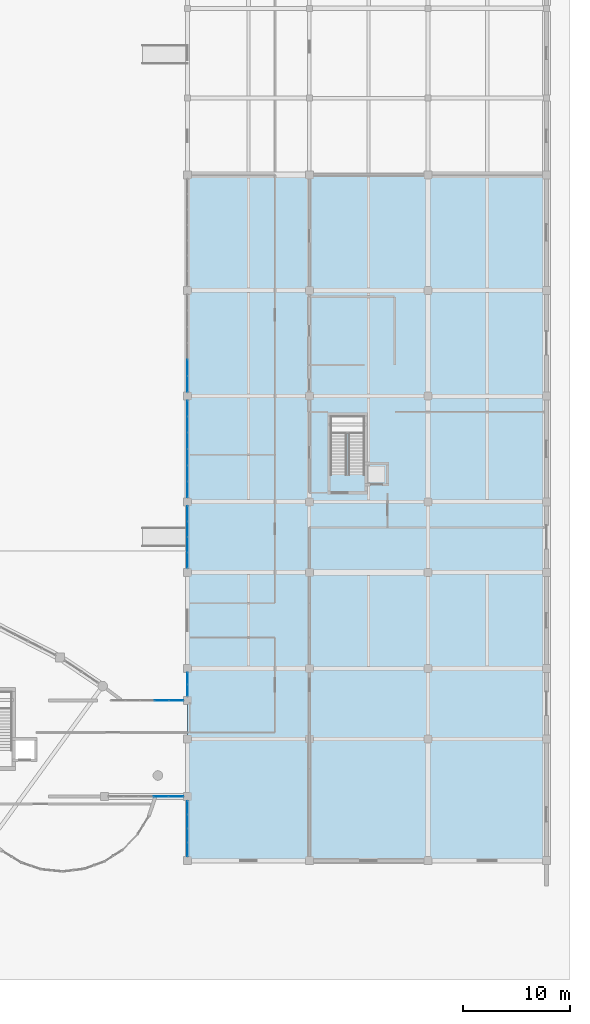
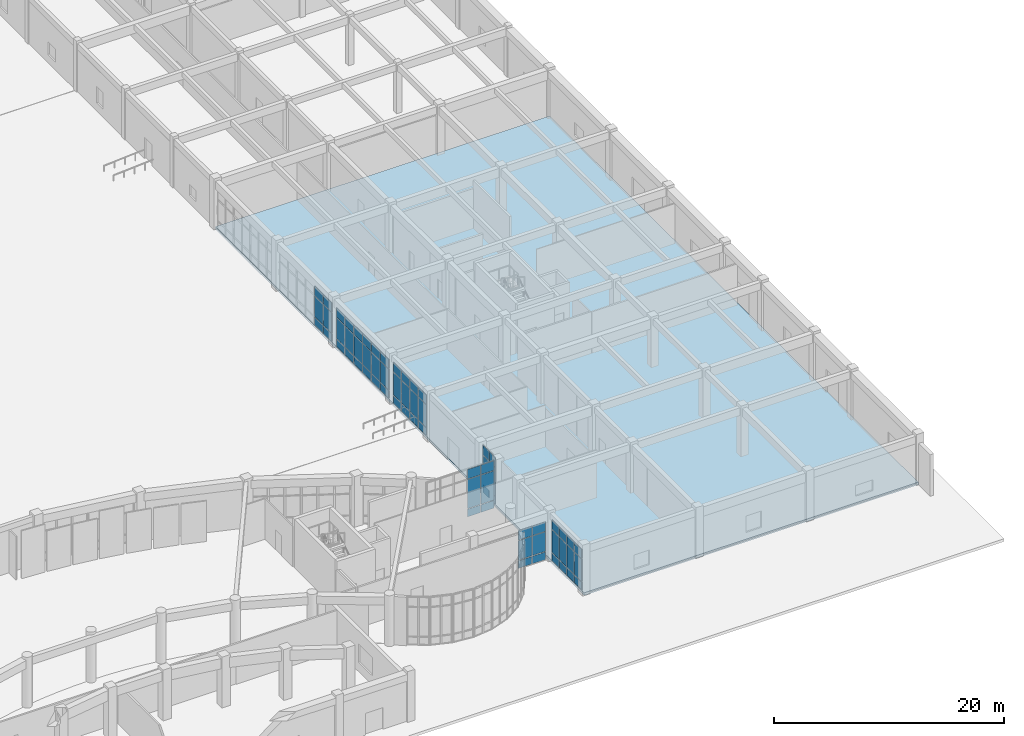
# One storey, part 45 of 70: 66 plates, 1 slab, 7 elements without a shape of their own.
"""IFC4 building model written with IfcOpenShell, lengths in metres."""

from ifc_helpers import new_model, si_unit, direction, frame, origin, origin_2d, place, context, subcontext, project, spatial, polyline, rectangle, outline, extrude, material, layer, layer_set, type_object, element, aggregate, save


model = new_model("IFC4")

# Units and contexts
model_context = context("Model", 3, precision=1e-05, world=origin(), true_north=direction((0.0, 1.0)))
body_context = subcontext(model_context, "Body", "Model", "MODEL_VIEW")
ifc_project = project(units=[si_unit("LENGTHUNIT", "METRE"), si_unit("AREAUNIT", "SQUARE_METRE"), si_unit("VOLUMEUNIT", "CUBIC_METRE"), si_unit("PLANEANGLEUNIT", "RADIAN"), si_unit("MASSUNIT", "GRAM", prefix="KILO")], contexts=[model_context])

# Site, building, storey
site_placement = place(None, origin())
site = spatial("IfcSite", under=ifc_project, at=site_placement, CompositionType="ELEMENT")
building_placement = place(site_placement, origin())
building = spatial("IfcBuilding", under=site, at=building_placement, Name="Miralva Faculty of Natural Sciences", CompositionType="ELEMENT")
storey_placement = place(building_placement, origin())
storey = spatial("IfcBuildingStorey", under=building, at=storey_placement, Name="L00", CompositionType="ELEMENT", Elevation=0.0)

# Curtain wall, plates
ifc_material_1 = material(Name="Laminated solar-control glass", Category="glass")
ifc_layer_1 = layer(ifc_material_1, 0.179931640625, Name="CW-COM-L00")
ifc_layer_set_1 = layer_set([ifc_layer_1], Name="Laminated solar-control glass")
curtain_wall_type_1 = type_object("IfcCurtainWallType", Name="CW-COM-L00", PredefinedType="USERDEFINED", material=ifc_layer_set_1)
curtain_wall_1_placement = place(storey_placement, origin())
curtain_wall_1 = element("IfcCurtainWall", 1, at=curtain_wall_1_placement, inside=storey, type_object=curtain_wall_type_1, Name="Curtain wall CW-09 L00-255", ObjectType="UNITISED CURTAIN WALL", PredefinedType="USERDEFINED")
ifc_layer_2 = layer(ifc_material_1, 0.028076171875, Name="PNL-P01")
ifc_layer_set_2 = layer_set([ifc_layer_2], Name="Laminated solar-control glass")
plate_type = type_object("IfcPlateType", Name="PNL-P01", PredefinedType="CURTAIN_PANEL", material=ifc_layer_set_2)
plate_1_placement = place(storey_placement, frame((133.800048828125, 13.038818359375, 0.06005859375), z_axis=(0.0, 0.0, 1.0), x_axis=(0.0, 1.0, 0.0)))
plate_1 = element("IfcPlate", 2, at=plate_1_placement, type_object=plate_type, Name="CW-09 panel 1.1", PredefinedType="CURTAIN_PANEL", context=body_context, shape_type="SweptSolid", body=[
    extrude(rectangle(XDim=1.2275390625, YDim=0.028076171875, at=origin_2d()), origin(), (0.0, 0.0, 1.0), 0.81005859375),
])
plate_2_placement = place(storey_placement, frame((133.800048828125, 13.038818359375, 0.93017578125), z_axis=(0.0, 0.0, 1.0), x_axis=(0.0, 1.0, 0.0)))
plate_2 = element("IfcPlate", 3, at=plate_2_placement, type_object=plate_type, Name="CW-09 panel 1.2", PredefinedType="CURTAIN_PANEL", context=body_context, shape_type="SweptSolid", body=[
    extrude(rectangle(XDim=1.2275390625, YDim=0.028076171875, at=origin_2d()), origin(), (0.0, 0.0, 1.0), 2.405029296875),
])
plate_3_placement = place(storey_placement, frame((133.800048828125, 13.038818359375, 3.39501953125), z_axis=(0.0, 0.0, 1.0), x_axis=(0.0, 1.0, 0.0)))
plate_3 = element("IfcPlate", 4, at=plate_3_placement, type_object=plate_type, Name="CW-09 panel 1.3", PredefinedType="CURTAIN_PANEL", context=body_context, shape_type="SweptSolid", body=[
    extrude(rectangle(XDim=1.2275390625, YDim=0.028076171875, at=origin_2d()), origin(), (0.0, 0.0, 1.0), 1.010009765625),
])
plate_4_placement = place(storey_placement, frame((133.800048828125, 14.34130859375, 0.06005859375), z_axis=(0.0, 0.0, 1.0), x_axis=(0.0, 1.0, 0.0)))
plate_4 = element("IfcPlate", 5, at=plate_4_placement, type_object=plate_type, Name="CW-09 panel 2.1", PredefinedType="CURTAIN_PANEL", context=body_context, shape_type="SweptSolid", body=[
    extrude(rectangle(XDim=1.257568359375, YDim=0.028076171875, at=origin_2d()), origin(), (0.0, 0.0, 1.0), 0.81005859375),
])
plate_5_placement = place(storey_placement, frame((133.800048828125, 14.34130859375, 0.93017578125), z_axis=(0.0, 0.0, 1.0), x_axis=(0.0, 1.0, 0.0)))
plate_5 = element("IfcPlate", 6, at=plate_5_placement, type_object=plate_type, Name="CW-09 panel 2.2", PredefinedType="CURTAIN_PANEL", context=body_context, shape_type="SweptSolid", body=[
    extrude(rectangle(XDim=1.257568359375, YDim=0.028076171875, at=origin_2d()), origin(), (0.0, 0.0, 1.0), 2.405029296875),
])
plate_6_placement = place(storey_placement, frame((133.800048828125, 14.34130859375, 3.39501953125), z_axis=(0.0, 0.0, 1.0), x_axis=(0.0, 1.0, 0.0)))
plate_6 = element("IfcPlate", 7, at=plate_6_placement, type_object=plate_type, Name="CW-09 panel 2.3", PredefinedType="CURTAIN_PANEL", context=body_context, shape_type="SweptSolid", body=[
    extrude(rectangle(XDim=1.257568359375, YDim=0.028076171875, at=origin_2d()), origin(), (0.0, 0.0, 1.0), 1.010009765625),
])
plate_7_placement = place(storey_placement, frame((133.800048828125, 15.65869140625, 0.06005859375), z_axis=(0.0, 0.0, 1.0), x_axis=(0.0, 1.0, 0.0)))
plate_7 = element("IfcPlate", 8, at=plate_7_placement, type_object=plate_type, Name="CW-09 panel 3.1", PredefinedType="CURTAIN_PANEL", context=body_context, shape_type="SweptSolid", body=[
    extrude(rectangle(XDim=1.257568359375, YDim=0.028076171875, at=origin_2d()), origin(), (0.0, 0.0, 1.0), 0.81005859375),
])
plate_8_placement = place(storey_placement, frame((133.800048828125, 15.65869140625, 0.93017578125), z_axis=(0.0, 0.0, 1.0), x_axis=(0.0, 1.0, 0.0)))
plate_8 = element("IfcPlate", 9, at=plate_8_placement, type_object=plate_type, Name="CW-09 panel 3.2", PredefinedType="CURTAIN_PANEL", context=body_context, shape_type="SweptSolid", body=[
    extrude(rectangle(XDim=1.257568359375, YDim=0.028076171875, at=origin_2d()), origin(), (0.0, 0.0, 1.0), 2.405029296875),
])
plate_9_placement = place(storey_placement, frame((133.800048828125, 15.65869140625, 3.39501953125), z_axis=(0.0, 0.0, 1.0), x_axis=(0.0, 1.0, 0.0)))
plate_9 = element("IfcPlate", 10, at=plate_9_placement, type_object=plate_type, Name="CW-09 panel 3.3", PredefinedType="CURTAIN_PANEL", context=body_context, shape_type="SweptSolid", body=[
    extrude(rectangle(XDim=1.257568359375, YDim=0.028076171875, at=origin_2d()), origin(), (0.0, 0.0, 1.0), 1.010009765625),
])
plate_10_placement = place(storey_placement, frame((133.800048828125, 16.961181640625, 0.06005859375), z_axis=(0.0, 0.0, 1.0), x_axis=(0.0, 1.0, 0.0)))
plate_10 = element("IfcPlate", 11, at=plate_10_placement, type_object=plate_type, Name="CW-09 panel 4.1", PredefinedType="CURTAIN_PANEL", context=body_context, shape_type="SweptSolid", body=[
    extrude(rectangle(XDim=1.2275390625, YDim=0.028076171875, at=origin_2d()), origin(), (0.0, 0.0, 1.0), 0.81005859375),
])
plate_11_placement = place(storey_placement, frame((133.800048828125, 16.961181640625, 0.93017578125), z_axis=(0.0, 0.0, 1.0), x_axis=(0.0, 1.0, 0.0)))
plate_11 = element("IfcPlate", 12, at=plate_11_placement, type_object=plate_type, Name="CW-09 panel 4.2", PredefinedType="CURTAIN_PANEL", context=body_context, shape_type="SweptSolid", body=[
    extrude(rectangle(XDim=1.2275390625, YDim=0.028076171875, at=origin_2d()), origin(), (0.0, 0.0, 1.0), 2.405029296875),
])
plate_12_placement = place(storey_placement, frame((133.800048828125, 16.961181640625, 3.39501953125), z_axis=(0.0, 0.0, 1.0), x_axis=(0.0, 1.0, 0.0)))
plate_12 = element("IfcPlate", 13, at=plate_12_placement, type_object=plate_type, Name="CW-09 panel 4.3", PredefinedType="CURTAIN_PANEL", context=body_context, shape_type="SweptSolid", body=[
    extrude(rectangle(XDim=1.2275390625, YDim=0.028076171875, at=origin_2d()), origin(), (0.0, 0.0, 1.0), 1.010009765625),
])
aggregate(curtain_wall_1, [plate_1, plate_2, plate_3, plate_4, plate_5, plate_6, plate_7, plate_8, plate_9, plate_10, plate_11, plate_12])

curtain_wall_2_placement = place(storey_placement, origin())
curtain_wall_2 = element("IfcCurtainWall", 14, at=curtain_wall_2_placement, inside=storey, type_object=curtain_wall_type_1, Name="Curtain wall CW-09 L00-256", ObjectType="UNITISED CURTAIN WALL", PredefinedType="USERDEFINED")
plate_13_placement = place(storey_placement, frame((133.800048828125, 27.947509765625, 0.06005859375), z_axis=(0.0, 0.0, 1.0), x_axis=(0.0, 1.0, 0.0)))
plate_13 = element("IfcPlate", 15, at=plate_13_placement, type_object=plate_type, Name="CW-09 panel 1.1", PredefinedType="CURTAIN_PANEL", context=body_context, shape_type="SweptSolid", body=[
    extrude(rectangle(XDim=1.044921875, YDim=0.028076171875, at=origin_2d()), origin(), (0.0, 0.0, 1.0), 0.81005859375),
])
plate_14_placement = place(storey_placement, frame((133.800048828125, 27.947509765625, 0.929931640625), z_axis=(0.0, 0.0, 1.0), x_axis=(0.0, 1.0, 0.0)))
plate_14 = element("IfcPlate", 16, at=plate_14_placement, type_object=plate_type, Name="CW-09 panel 1.2", PredefinedType="CURTAIN_PANEL", context=body_context, shape_type="SweptSolid", body=[
    extrude(rectangle(XDim=1.044921875, YDim=0.028076171875, at=origin_2d()), origin(), (0.0, 0.0, 1.0), 3.0400390625),
])
plate_15_placement = place(storey_placement, frame((133.800048828125, 27.947509765625, 4.02978515625), z_axis=(0.0, 0.0, 1.0), x_axis=(0.0, 1.0, 0.0)))
plate_15 = element("IfcPlate", 17, at=plate_15_placement, type_object=plate_type, Name="CW-09 panel 1.3", PredefinedType="CURTAIN_PANEL", context=body_context, shape_type="SweptSolid", body=[
    extrude(rectangle(XDim=1.044921875, YDim=0.028076171875, at=origin_2d()), origin(), (0.0, 0.0, 1.0), 1.010009765625),
])
plate_16_placement = place(storey_placement, frame((133.800048828125, 29.052490234375, 0.06005859375), z_axis=(0.0, 0.0, 1.0), x_axis=(0.0, 1.0, 0.0)))
plate_16 = element("IfcPlate", 18, at=plate_16_placement, type_object=plate_type, Name="CW-09 panel 2.1", PredefinedType="CURTAIN_PANEL", context=body_context, shape_type="SweptSolid", body=[
    extrude(rectangle(XDim=1.044921875, YDim=0.028076171875, at=origin_2d()), origin(), (0.0, 0.0, 1.0), 0.81005859375),
])
plate_17_placement = place(storey_placement, frame((133.800048828125, 29.052490234375, 0.929931640625), z_axis=(0.0, 0.0, 1.0), x_axis=(0.0, 1.0, 0.0)))
plate_17 = element("IfcPlate", 19, at=plate_17_placement, type_object=plate_type, Name="CW-09 panel 2.2", PredefinedType="CURTAIN_PANEL", context=body_context, shape_type="SweptSolid", body=[
    extrude(rectangle(XDim=1.044921875, YDim=0.028076171875, at=origin_2d()), origin(), (0.0, 0.0, 1.0), 3.0400390625),
])
plate_18_placement = place(storey_placement, frame((133.800048828125, 29.052490234375, 4.02978515625), z_axis=(0.0, 0.0, 1.0), x_axis=(0.0, 1.0, 0.0)))
plate_18 = element("IfcPlate", 20, at=plate_18_placement, type_object=plate_type, Name="CW-09 panel 2.3", PredefinedType="CURTAIN_PANEL", context=body_context, shape_type="SweptSolid", body=[
    extrude(rectangle(XDim=1.044921875, YDim=0.028076171875, at=origin_2d()), origin(), (0.0, 0.0, 1.0), 1.010009765625),
])
aggregate(curtain_wall_2, [plate_13, plate_14, plate_15, plate_16, plate_17, plate_18])

curtain_wall_3_placement = place(storey_placement, origin())
curtain_wall_3 = element("IfcCurtainWall", 21, at=curtain_wall_3_placement, inside=storey, type_object=curtain_wall_type_1, Name="Curtain wall CW-09 L00-257", ObjectType="UNITISED CURTAIN WALL", PredefinedType="USERDEFINED")
plate_19_placement = place(storey_placement, frame((133.800048828125, 40.114990234375, 0.06005859375), z_axis=(0.0, 0.0, 1.0), x_axis=(0.0, 1.0, 0.0)))
plate_19 = element("IfcPlate", 22, at=plate_19_placement, type_object=plate_type, Name="CW-09 panel 1.1", PredefinedType="CURTAIN_PANEL", context=body_context, shape_type="SweptSolid", body=[
    extrude(rectangle(XDim=1.3798828125, YDim=0.028076171875, at=origin_2d()), origin(), (0.0, 0.0, 1.0), 0.81005859375),
])
plate_20_placement = place(storey_placement, frame((133.800048828125, 40.114990234375, 0.93017578125), z_axis=(0.0, 0.0, 1.0), x_axis=(0.0, 1.0, 0.0)))
plate_20 = element("IfcPlate", 23, at=plate_20_placement, type_object=plate_type, Name="CW-09 panel 1.2", PredefinedType="CURTAIN_PANEL", context=body_context, shape_type="SweptSolid", body=[
    extrude(rectangle(XDim=1.3798828125, YDim=0.028076171875, at=origin_2d()), origin(), (0.0, 0.0, 1.0), 2.405029296875),
])
plate_21_placement = place(storey_placement, frame((133.800048828125, 40.114990234375, 3.39501953125), z_axis=(0.0, 0.0, 1.0), x_axis=(0.0, 1.0, 0.0)))
plate_21 = element("IfcPlate", 24, at=plate_21_placement, type_object=plate_type, Name="CW-09 panel 1.3", PredefinedType="CURTAIN_PANEL", context=body_context, shape_type="SweptSolid", body=[
    extrude(rectangle(XDim=1.3798828125, YDim=0.028076171875, at=origin_2d()), origin(), (0.0, 0.0, 1.0), 1.010009765625),
])
plate_22_placement = place(storey_placement, frame((133.800048828125, 41.570068359375, 0.06005859375), z_axis=(0.0, 0.0, 1.0), x_axis=(0.0, 1.0, 0.0)))
plate_22 = element("IfcPlate", 25, at=plate_22_placement, type_object=plate_type, Name="CW-09 panel 2.1", PredefinedType="CURTAIN_PANEL", context=body_context, shape_type="SweptSolid", body=[
    extrude(rectangle(XDim=1.409912109375, YDim=0.028076171875, at=origin_2d()), origin(), (0.0, 0.0, 1.0), 0.81005859375),
])
plate_23_placement = place(storey_placement, frame((133.800048828125, 41.570068359375, 0.93017578125), z_axis=(0.0, 0.0, 1.0), x_axis=(0.0, 1.0, 0.0)))
plate_23 = element("IfcPlate", 26, at=plate_23_placement, type_object=plate_type, Name="CW-09 panel 2.2", PredefinedType="CURTAIN_PANEL", context=body_context, shape_type="SweptSolid", body=[
    extrude(rectangle(XDim=1.409912109375, YDim=0.028076171875, at=origin_2d()), origin(), (0.0, 0.0, 1.0), 2.405029296875),
])
plate_24_placement = place(storey_placement, frame((133.800048828125, 41.570068359375, 3.39501953125), z_axis=(0.0, 0.0, 1.0), x_axis=(0.0, 1.0, 0.0)))
plate_24 = element("IfcPlate", 27, at=plate_24_placement, type_object=plate_type, Name="CW-09 panel 2.3", PredefinedType="CURTAIN_PANEL", context=body_context, shape_type="SweptSolid", body=[
    extrude(rectangle(XDim=1.409912109375, YDim=0.028076171875, at=origin_2d()), origin(), (0.0, 0.0, 1.0), 1.010009765625),
])
plate_25_placement = place(storey_placement, frame((133.800048828125, 43.0400390625, 0.06005859375), z_axis=(0.0, 0.0, 1.0), x_axis=(0.0, 1.0, 0.0)))
plate_25 = element("IfcPlate", 28, at=plate_25_placement, type_object=plate_type, Name="CW-09 panel 3.1", PredefinedType="CURTAIN_PANEL", context=body_context, shape_type="SweptSolid", body=[
    extrude(rectangle(XDim=1.409912109375, YDim=0.028076171875, at=origin_2d()), origin(), (0.0, 0.0, 1.0), 0.81005859375),
])
plate_26_placement = place(storey_placement, frame((133.800048828125, 43.0400390625, 0.93017578125), z_axis=(0.0, 0.0, 1.0), x_axis=(0.0, 1.0, 0.0)))
plate_26 = element("IfcPlate", 29, at=plate_26_placement, type_object=plate_type, Name="CW-09 panel 3.2", PredefinedType="CURTAIN_PANEL", context=body_context, shape_type="SweptSolid", body=[
    extrude(rectangle(XDim=1.409912109375, YDim=0.028076171875, at=origin_2d()), origin(), (0.0, 0.0, 1.0), 2.405029296875),
])
plate_27_placement = place(storey_placement, frame((133.800048828125, 43.0400390625, 3.39501953125), z_axis=(0.0, 0.0, 1.0), x_axis=(0.0, 1.0, 0.0)))
plate_27 = element("IfcPlate", 30, at=plate_27_placement, type_object=plate_type, Name="CW-09 panel 3.3", PredefinedType="CURTAIN_PANEL", context=body_context, shape_type="SweptSolid", body=[
    extrude(rectangle(XDim=1.409912109375, YDim=0.028076171875, at=origin_2d()), origin(), (0.0, 0.0, 1.0), 1.010009765625),
])
plate_28_placement = place(storey_placement, frame((133.800048828125, 44.4951171875, 0.06005859375), z_axis=(0.0, 0.0, 1.0), x_axis=(0.0, 1.0, 0.0)))
plate_28 = element("IfcPlate", 31, at=plate_28_placement, type_object=plate_type, Name="CW-09 panel 4.1", PredefinedType="CURTAIN_PANEL", context=body_context, shape_type="SweptSolid", body=[
    extrude(rectangle(XDim=1.3798828125, YDim=0.028076171875, at=origin_2d()), origin(), (0.0, 0.0, 1.0), 0.81005859375),
])
plate_29_placement = place(storey_placement, frame((133.800048828125, 44.4951171875, 0.93017578125), z_axis=(0.0, 0.0, 1.0), x_axis=(0.0, 1.0, 0.0)))
plate_29 = element("IfcPlate", 32, at=plate_29_placement, type_object=plate_type, Name="CW-09 panel 4.2", PredefinedType="CURTAIN_PANEL", context=body_context, shape_type="SweptSolid", body=[
    extrude(rectangle(XDim=1.3798828125, YDim=0.028076171875, at=origin_2d()), origin(), (0.0, 0.0, 1.0), 2.405029296875),
])
plate_30_placement = place(storey_placement, frame((133.800048828125, 44.4951171875, 3.39501953125), z_axis=(0.0, 0.0, 1.0), x_axis=(0.0, 1.0, 0.0)))
plate_30 = element("IfcPlate", 33, at=plate_30_placement, type_object=plate_type, Name="CW-09 panel 4.3", PredefinedType="CURTAIN_PANEL", context=body_context, shape_type="SweptSolid", body=[
    extrude(rectangle(XDim=1.3798828125, YDim=0.028076171875, at=origin_2d()), origin(), (0.0, 0.0, 1.0), 1.010009765625),
])
aggregate(curtain_wall_3, [plate_19, plate_20, plate_21, plate_22, plate_23, plate_24, plate_25, plate_26, plate_27, plate_28, plate_29, plate_30])

curtain_wall_4_placement = place(storey_placement, origin())
curtain_wall_4 = element("IfcCurtainWall", 34, at=curtain_wall_4_placement, inside=storey, type_object=curtain_wall_type_1, Name="Curtain wall CW-09 L00-258", ObjectType="UNITISED CURTAIN WALL", PredefinedType="USERDEFINED")
plate_31_placement = place(storey_placement, frame((133.800048828125, 46.744140625, 0.06005859375), z_axis=(0.0, 0.0, 1.0), x_axis=(0.0, 1.0, 0.0)))
plate_31 = element("IfcPlate", 35, at=plate_31_placement, type_object=plate_type, Name="CW-09 panel 1.1", PredefinedType="CURTAIN_PANEL", context=body_context, shape_type="SweptSolid", body=[
    extrude(rectangle(XDim=1.438232421875, YDim=0.028076171875, at=origin_2d()), origin(), (0.0, 0.0, 1.0), 0.81005859375),
])
plate_32_placement = place(storey_placement, frame((133.800048828125, 46.744140625, 0.929931640625), z_axis=(0.0, 0.0, 1.0), x_axis=(0.0, 1.0, 0.0)))
plate_32 = element("IfcPlate", 36, at=plate_32_placement, type_object=plate_type, Name="CW-09 panel 1.2", PredefinedType="CURTAIN_PANEL", context=body_context, shape_type="SweptSolid", body=[
    extrude(rectangle(XDim=1.438232421875, YDim=0.028076171875, at=origin_2d()), origin(), (0.0, 0.0, 1.0), 2.205078125),
])
plate_33_placement = place(storey_placement, frame((133.800048828125, 46.744140625, 3.19482421875), z_axis=(0.0, 0.0, 1.0), x_axis=(0.0, 1.0, 0.0)))
plate_33 = element("IfcPlate", 37, at=plate_33_placement, type_object=plate_type, Name="CW-09 panel 1.3", PredefinedType="CURTAIN_PANEL", context=body_context, shape_type="SweptSolid", body=[
    extrude(rectangle(XDim=1.438232421875, YDim=0.028076171875, at=origin_2d()), origin(), (0.0, 0.0, 1.0), 1.010009765625),
])
plate_34_placement = place(storey_placement, frame((133.800048828125, 48.257568359375, 0.06005859375), z_axis=(0.0, 0.0, 1.0), x_axis=(0.0, 1.0, 0.0)))
plate_34 = element("IfcPlate", 38, at=plate_34_placement, type_object=plate_type, Name="CW-09 panel 2.1", PredefinedType="CURTAIN_PANEL", context=body_context, shape_type="SweptSolid", body=[
    extrude(rectangle(XDim=1.46826171875, YDim=0.028076171875, at=origin_2d()), origin(), (0.0, 0.0, 1.0), 0.81005859375),
])
plate_35_placement = place(storey_placement, frame((133.800048828125, 48.257568359375, 0.929931640625), z_axis=(0.0, 0.0, 1.0), x_axis=(0.0, 1.0, 0.0)))
plate_35 = element("IfcPlate", 39, at=plate_35_placement, type_object=plate_type, Name="CW-09 panel 2.2", PredefinedType="CURTAIN_PANEL", context=body_context, shape_type="SweptSolid", body=[
    extrude(rectangle(XDim=1.46826171875, YDim=0.028076171875, at=origin_2d()), origin(), (0.0, 0.0, 1.0), 2.205078125),
])
plate_36_placement = place(storey_placement, frame((133.800048828125, 48.257568359375, 3.19482421875), z_axis=(0.0, 0.0, 1.0), x_axis=(0.0, 1.0, 0.0)))
plate_36 = element("IfcPlate", 40, at=plate_36_placement, type_object=plate_type, Name="CW-09 panel 2.3", PredefinedType="CURTAIN_PANEL", context=body_context, shape_type="SweptSolid", body=[
    extrude(rectangle(XDim=1.46826171875, YDim=0.028076171875, at=origin_2d()), origin(), (0.0, 0.0, 1.0), 1.010009765625),
])
plate_37_placement = place(storey_placement, frame((133.800048828125, 49.785888671875, 0.06005859375), z_axis=(0.0, 0.0, 1.0), x_axis=(0.0, 1.0, 0.0)))
plate_37 = element("IfcPlate", 41, at=plate_37_placement, type_object=plate_type, Name="CW-09 panel 3.1", PredefinedType="CURTAIN_PANEL", context=body_context, shape_type="SweptSolid", body=[
    extrude(rectangle(XDim=1.46826171875, YDim=0.028076171875, at=origin_2d()), origin(), (0.0, 0.0, 1.0), 0.81005859375),
])
plate_38_placement = place(storey_placement, frame((133.800048828125, 49.785888671875, 0.929931640625), z_axis=(0.0, 0.0, 1.0), x_axis=(0.0, 1.0, 0.0)))
plate_38 = element("IfcPlate", 42, at=plate_38_placement, type_object=plate_type, Name="CW-09 panel 3.2", PredefinedType="CURTAIN_PANEL", context=body_context, shape_type="SweptSolid", body=[
    extrude(rectangle(XDim=1.46826171875, YDim=0.028076171875, at=origin_2d()), origin(), (0.0, 0.0, 1.0), 2.205078125),
])
plate_39_placement = place(storey_placement, frame((133.800048828125, 49.785888671875, 3.19482421875), z_axis=(0.0, 0.0, 1.0), x_axis=(0.0, 1.0, 0.0)))
plate_39 = element("IfcPlate", 43, at=plate_39_placement, type_object=plate_type, Name="CW-09 panel 3.3", PredefinedType="CURTAIN_PANEL", context=body_context, shape_type="SweptSolid", body=[
    extrude(rectangle(XDim=1.46826171875, YDim=0.028076171875, at=origin_2d()), origin(), (0.0, 0.0, 1.0), 1.010009765625),
])
plate_40_placement = place(storey_placement, frame((133.800048828125, 51.314208984375, 0.06005859375), z_axis=(0.0, 0.0, 1.0), x_axis=(0.0, 1.0, 0.0)))
plate_40 = element("IfcPlate", 44, at=plate_40_placement, type_object=plate_type, Name="CW-09 panel 4.1", PredefinedType="CURTAIN_PANEL", context=body_context, shape_type="SweptSolid", body=[
    extrude(rectangle(XDim=1.46826171875, YDim=0.028076171875, at=origin_2d()), origin(), (0.0, 0.0, 1.0), 0.81005859375),
])
plate_41_placement = place(storey_placement, frame((133.800048828125, 51.314208984375, 0.929931640625), z_axis=(0.0, 0.0, 1.0), x_axis=(0.0, 1.0, 0.0)))
plate_41 = element("IfcPlate", 45, at=plate_41_placement, type_object=plate_type, Name="CW-09 panel 4.2", PredefinedType="CURTAIN_PANEL", context=body_context, shape_type="SweptSolid", body=[
    extrude(rectangle(XDim=1.46826171875, YDim=0.028076171875, at=origin_2d()), origin(), (0.0, 0.0, 1.0), 2.205078125),
])
plate_42_placement = place(storey_placement, frame((133.800048828125, 51.314208984375, 3.19482421875), z_axis=(0.0, 0.0, 1.0), x_axis=(0.0, 1.0, 0.0)))
plate_42 = element("IfcPlate", 46, at=plate_42_placement, type_object=plate_type, Name="CW-09 panel 4.3", PredefinedType="CURTAIN_PANEL", context=body_context, shape_type="SweptSolid", body=[
    extrude(rectangle(XDim=1.46826171875, YDim=0.028076171875, at=origin_2d()), origin(), (0.0, 0.0, 1.0), 1.010009765625),
])
plate_43_placement = place(storey_placement, frame((133.800048828125, 52.842529296875, 0.06005859375), z_axis=(0.0, 0.0, 1.0), x_axis=(0.0, 1.0, 0.0)))
plate_43 = element("IfcPlate", 47, at=plate_43_placement, type_object=plate_type, Name="CW-09 panel 5.1", PredefinedType="CURTAIN_PANEL", context=body_context, shape_type="SweptSolid", body=[
    extrude(rectangle(XDim=1.46826171875, YDim=0.028076171875, at=origin_2d()), origin(), (0.0, 0.0, 1.0), 0.81005859375),
])
plate_44_placement = place(storey_placement, frame((133.800048828125, 52.842529296875, 0.929931640625), z_axis=(0.0, 0.0, 1.0), x_axis=(0.0, 1.0, 0.0)))
plate_44 = element("IfcPlate", 48, at=plate_44_placement, type_object=plate_type, Name="CW-09 panel 5.2", PredefinedType="CURTAIN_PANEL", context=body_context, shape_type="SweptSolid", body=[
    extrude(rectangle(XDim=1.46826171875, YDim=0.028076171875, at=origin_2d()), origin(), (0.0, 0.0, 1.0), 2.205078125),
])
plate_45_placement = place(storey_placement, frame((133.800048828125, 52.842529296875, 3.19482421875), z_axis=(0.0, 0.0, 1.0), x_axis=(0.0, 1.0, 0.0)))
plate_45 = element("IfcPlate", 49, at=plate_45_placement, type_object=plate_type, Name="CW-09 panel 5.3", PredefinedType="CURTAIN_PANEL", context=body_context, shape_type="SweptSolid", body=[
    extrude(rectangle(XDim=1.46826171875, YDim=0.028076171875, at=origin_2d()), origin(), (0.0, 0.0, 1.0), 1.010009765625),
])
plate_46_placement = place(storey_placement, frame((133.800048828125, 54.355712890625, 0.06005859375), z_axis=(0.0, 0.0, 1.0), x_axis=(0.0, 1.0, 0.0)))
plate_46 = element("IfcPlate", 50, at=plate_46_placement, type_object=plate_type, Name="CW-09 panel 6.1", PredefinedType="CURTAIN_PANEL", context=body_context, shape_type="SweptSolid", body=[
    extrude(rectangle(XDim=1.438232421875, YDim=0.028076171875, at=origin_2d()), origin(), (0.0, 0.0, 1.0), 0.81005859375),
])
plate_47_placement = place(storey_placement, frame((133.800048828125, 54.355712890625, 0.929931640625), z_axis=(0.0, 0.0, 1.0), x_axis=(0.0, 1.0, 0.0)))
plate_47 = element("IfcPlate", 51, at=plate_47_placement, type_object=plate_type, Name="CW-09 panel 6.2", PredefinedType="CURTAIN_PANEL", context=body_context, shape_type="SweptSolid", body=[
    extrude(rectangle(XDim=1.438232421875, YDim=0.028076171875, at=origin_2d()), origin(), (0.0, 0.0, 1.0), 2.205078125),
])
plate_48_placement = place(storey_placement, frame((133.800048828125, 54.355712890625, 3.19482421875), z_axis=(0.0, 0.0, 1.0), x_axis=(0.0, 1.0, 0.0)))
plate_48 = element("IfcPlate", 52, at=plate_48_placement, type_object=plate_type, Name="CW-09 panel 6.3", PredefinedType="CURTAIN_PANEL", context=body_context, shape_type="SweptSolid", body=[
    extrude(rectangle(XDim=1.438232421875, YDim=0.028076171875, at=origin_2d()), origin(), (0.0, 0.0, 1.0), 1.010009765625),
])
aggregate(curtain_wall_4, [plate_31, plate_32, plate_33, plate_34, plate_35, plate_36, plate_37, plate_38, plate_39, plate_40, plate_41, plate_42, plate_43, plate_44, plate_45, plate_46, plate_47, plate_48])

curtain_wall_5_placement = place(storey_placement, origin())
curtain_wall_5 = element("IfcCurtainWall", 53, at=curtain_wall_5_placement, inside=storey, type_object=curtain_wall_type_1, Name="Curtain wall CW-09 L00-259", ObjectType="UNITISED CURTAIN WALL", PredefinedType="USERDEFINED")
plate_49_placement = place(storey_placement, frame((133.800048828125, 56.644287109375, 0.06005859375), z_axis=(0.0, 0.0, 1.0), x_axis=(0.0, 1.0, 0.0)))
plate_49 = element("IfcPlate", 54, at=plate_49_placement, type_object=plate_type, Name="CW-09 panel 1.1", PredefinedType="CURTAIN_PANEL", context=body_context, shape_type="SweptSolid", body=[
    extrude(rectangle(XDim=1.438232421875, YDim=0.028076171875, at=origin_2d()), origin(), (0.0, 0.0, 1.0), 0.81005859375),
])
plate_50_placement = place(storey_placement, frame((133.800048828125, 56.644287109375, 0.929931640625), z_axis=(0.0, 0.0, 1.0), x_axis=(0.0, 1.0, 0.0)))
plate_50 = element("IfcPlate", 55, at=plate_50_placement, type_object=plate_type, Name="CW-09 panel 1.2", PredefinedType="CURTAIN_PANEL", context=body_context, shape_type="SweptSolid", body=[
    extrude(rectangle(XDim=1.438232421875, YDim=0.028076171875, at=origin_2d()), origin(), (0.0, 0.0, 1.0), 2.205078125),
])
plate_51_placement = place(storey_placement, frame((133.800048828125, 56.644287109375, 3.19482421875), z_axis=(0.0, 0.0, 1.0), x_axis=(0.0, 1.0, 0.0)))
plate_51 = element("IfcPlate", 56, at=plate_51_placement, type_object=plate_type, Name="CW-09 panel 1.3", PredefinedType="CURTAIN_PANEL", context=body_context, shape_type="SweptSolid", body=[
    extrude(rectangle(XDim=1.438232421875, YDim=0.028076171875, at=origin_2d()), origin(), (0.0, 0.0, 1.0), 1.010009765625),
])
plate_52_placement = place(storey_placement, frame((133.800048828125, 58.157470703125, 0.06005859375), z_axis=(0.0, 0.0, 1.0), x_axis=(0.0, 1.0, 0.0)))
plate_52 = element("IfcPlate", 57, at=plate_52_placement, type_object=plate_type, Name="CW-09 panel 2.1", PredefinedType="CURTAIN_PANEL", context=body_context, shape_type="SweptSolid", body=[
    extrude(rectangle(XDim=1.46826171875, YDim=0.028076171875, at=origin_2d()), origin(), (0.0, 0.0, 1.0), 0.81005859375),
])
plate_53_placement = place(storey_placement, frame((133.800048828125, 58.157470703125, 0.929931640625), z_axis=(0.0, 0.0, 1.0), x_axis=(0.0, 1.0, 0.0)))
plate_53 = element("IfcPlate", 58, at=plate_53_placement, type_object=plate_type, Name="CW-09 panel 2.2", PredefinedType="CURTAIN_PANEL", context=body_context, shape_type="SweptSolid", body=[
    extrude(rectangle(XDim=1.46826171875, YDim=0.028076171875, at=origin_2d()), origin(), (0.0, 0.0, 1.0), 2.205078125),
])
plate_54_placement = place(storey_placement, frame((133.800048828125, 58.157470703125, 3.19482421875), z_axis=(0.0, 0.0, 1.0), x_axis=(0.0, 1.0, 0.0)))
plate_54 = element("IfcPlate", 59, at=plate_54_placement, type_object=plate_type, Name="CW-09 panel 2.3", PredefinedType="CURTAIN_PANEL", context=body_context, shape_type="SweptSolid", body=[
    extrude(rectangle(XDim=1.46826171875, YDim=0.028076171875, at=origin_2d()), origin(), (0.0, 0.0, 1.0), 1.010009765625),
])
aggregate(curtain_wall_5, [plate_49, plate_50, plate_51, plate_52, plate_53, plate_54])

ifc_layer_3 = layer(ifc_material_1, 0.179931640625, Name="CW-COM-L01")
ifc_layer_set_3 = layer_set([ifc_layer_3], Name="Laminated solar-control glass")
curtain_wall_type_2 = type_object("IfcCurtainWallType", Name="CW-COM-L01", PredefinedType="USERDEFINED", material=ifc_layer_set_3)
curtain_wall_6_placement = place(storey_placement, origin())
curtain_wall_6 = element("IfcCurtainWall", 60, at=curtain_wall_6_placement, inside=storey, type_object=curtain_wall_type_2, Name="Curtain wall CW-10 L00-284", ObjectType="UNITISED CURTAIN WALL", PredefinedType="USERDEFINED")
plate_55_placement = place(storey_placement, frame((131.321044921875, 18.0, 0.06005859375), z_axis=(0.0, 0.0, 1.0), x_axis=(1.0, 0.0, 0.0)))
plate_55 = element("IfcPlate", 61, at=plate_55_placement, type_object=plate_type, Name="CW-10 panel 4.1", PredefinedType="CURTAIN_PANEL", context=body_context, shape_type="SweptSolid", body=[
    extrude(rectangle(XDim=1.35595703125, YDim=0.028076171875, at=origin_2d()), origin(), (0.0, 0.0, 1.0), 0.81005859375),
])
plate_56_placement = place(storey_placement, frame((131.321044921875, 18.0, 0.93017578125), z_axis=(0.0, 0.0, 1.0), x_axis=(1.0, 0.0, 0.0)))
plate_56 = element("IfcPlate", 62, at=plate_56_placement, type_object=plate_type, Name="CW-10 panel 4.2", PredefinedType="CURTAIN_PANEL", context=body_context, shape_type="SweptSolid", body=[
    extrude(rectangle(XDim=1.35595703125, YDim=0.028076171875, at=origin_2d()), origin(), (0.0, 0.0, 1.0), 2.074951171875),
])
plate_57_placement = place(storey_placement, frame((131.321044921875, 18.0, 3.06494140625), z_axis=(0.0, 0.0, 1.0), x_axis=(1.0, 0.0, 0.0)))
plate_57 = element("IfcPlate", 63, at=plate_57_placement, type_object=plate_type, Name="CW-10 panel 4.3", PredefinedType="CURTAIN_PANEL", context=body_context, shape_type="SweptSolid", body=[
    extrude(rectangle(XDim=1.35595703125, YDim=0.028076171875, at=origin_2d()), origin(), (0.0, 0.0, 1.0), 1.010009765625),
])
plate_58_placement = place(storey_placement, frame((132.721923828125, 18.0, 0.06005859375), z_axis=(0.0, 0.0, 1.0), x_axis=(1.0, 0.0, 0.0)))
plate_58 = element("IfcPlate", 64, at=plate_58_placement, type_object=plate_type, Name="CW-10 panel 5.1", PredefinedType="CURTAIN_PANEL", context=body_context, shape_type="SweptSolid", body=[
    extrude(rectangle(XDim=1.325927734375, YDim=0.028076171875, at=origin_2d()), origin(), (0.0, 0.0, 1.0), 0.81005859375),
])
plate_59_placement = place(storey_placement, frame((132.721923828125, 18.0, 0.93017578125), z_axis=(0.0, 0.0, 1.0), x_axis=(1.0, 0.0, 0.0)))
plate_59 = element("IfcPlate", 65, at=plate_59_placement, type_object=plate_type, Name="CW-10 panel 5.2", PredefinedType="CURTAIN_PANEL", context=body_context, shape_type="SweptSolid", body=[
    extrude(rectangle(XDim=1.325927734375, YDim=0.028076171875, at=origin_2d()), origin(), (0.0, 0.0, 1.0), 2.074951171875),
])
plate_60_placement = place(storey_placement, frame((132.721923828125, 18.0, 3.06494140625), z_axis=(0.0, 0.0, 1.0), x_axis=(1.0, 0.0, 0.0)))
plate_60 = element("IfcPlate", 66, at=plate_60_placement, type_object=plate_type, Name="CW-10 panel 5.3", PredefinedType="CURTAIN_PANEL", context=body_context, shape_type="SweptSolid", body=[
    extrude(rectangle(XDim=1.325927734375, YDim=0.028076171875, at=origin_2d()), origin(), (0.0, 0.0, 1.0), 1.010009765625),
])
aggregate(curtain_wall_6, [plate_55, plate_56, plate_57, plate_58, plate_59, plate_60])

curtain_wall_7_placement = place(storey_placement, origin())
curtain_wall_7 = element("IfcCurtainWall", 67, at=curtain_wall_7_placement, inside=storey, type_object=curtain_wall_type_2, Name="Curtain wall CW-10 L00-287", ObjectType="UNITISED CURTAIN WALL", PredefinedType="USERDEFINED")
plate_61_placement = place(storey_placement, frame((131.3974609375, 27.0, 0.06005859375), z_axis=(0.0, 0.0, 1.0), x_axis=(1.0, 0.0, 0.0)))
plate_61 = element("IfcPlate", 68, at=plate_61_placement, type_object=plate_type, Name="CW-10 panel 4.1", PredefinedType="CURTAIN_PANEL", context=body_context, shape_type="SweptSolid", body=[
    extrude(rectangle(XDim=1.304931640625, YDim=0.028076171875, at=origin_2d()), origin(), (0.0, 0.0, 1.0), 0.81005859375),
])
plate_62_placement = place(storey_placement, frame((131.3974609375, 27.0, 0.93017578125), z_axis=(0.0, 0.0, 1.0), x_axis=(1.0, 0.0, 0.0)))
plate_62 = element("IfcPlate", 69, at=plate_62_placement, type_object=plate_type, Name="CW-10 panel 4.2", PredefinedType="CURTAIN_PANEL", context=body_context, shape_type="SweptSolid", body=[
    extrude(rectangle(XDim=1.304931640625, YDim=0.028076171875, at=origin_2d()), origin(), (0.0, 0.0, 1.0), 3.090087890625),
])
plate_63_placement = place(storey_placement, frame((131.3974609375, 27.0, 4.080078125), z_axis=(0.0, 0.0, 1.0), x_axis=(1.0, 0.0, 0.0)))
plate_63 = element("IfcPlate", 70, at=plate_63_placement, type_object=plate_type, Name="CW-10 panel 4.3", PredefinedType="CURTAIN_PANEL", context=body_context, shape_type="SweptSolid", body=[
    extrude(rectangle(XDim=1.304931640625, YDim=0.028076171875, at=origin_2d()), origin(), (0.0, 0.0, 1.0), 1.010009765625),
])
plate_64_placement = place(storey_placement, frame((132.74755859375, 27.0, 0.06005859375), z_axis=(0.0, 0.0, 1.0), x_axis=(1.0, 0.0, 0.0)))
plate_64 = element("IfcPlate", 71, at=plate_64_placement, type_object=plate_type, Name="CW-10 panel 5.1", PredefinedType="CURTAIN_PANEL", context=body_context, shape_type="SweptSolid", body=[
    extrude(rectangle(XDim=1.27490234375, YDim=0.028076171875, at=origin_2d()), origin(), (0.0, 0.0, 1.0), 0.81005859375),
])
plate_65_placement = place(storey_placement, frame((132.74755859375, 27.0, 0.93017578125), z_axis=(0.0, 0.0, 1.0), x_axis=(1.0, 0.0, 0.0)))
plate_65 = element("IfcPlate", 72, at=plate_65_placement, type_object=plate_type, Name="CW-10 panel 5.2", PredefinedType="CURTAIN_PANEL", context=body_context, shape_type="SweptSolid", body=[
    extrude(rectangle(XDim=1.27490234375, YDim=0.028076171875, at=origin_2d()), origin(), (0.0, 0.0, 1.0), 3.090087890625),
])
plate_66_placement = place(storey_placement, frame((132.74755859375, 27.0, 4.080078125), z_axis=(0.0, 0.0, 1.0), x_axis=(1.0, 0.0, 0.0)))
plate_66 = element("IfcPlate", 73, at=plate_66_placement, type_object=plate_type, Name="CW-10 panel 5.3", PredefinedType="CURTAIN_PANEL", context=body_context, shape_type="SweptSolid", body=[
    extrude(rectangle(XDim=1.27490234375, YDim=0.028076171875, at=origin_2d()), origin(), (0.0, 0.0, 1.0), 1.010009765625),
])
aggregate(curtain_wall_7, [plate_61, plate_62, plate_63, plate_64, plate_65, plate_66])

# Slab
ifc_material_2 = material(Name="Concrete C40/50", Category="concrete")
ifc_layer_4 = layer(ifc_material_2, 0.280029296875, Name="SL-FL02")
ifc_layer_set_4 = layer_set([ifc_layer_4], Name="Concrete C40/50")
slab_type = type_object("IfcSlabType", Name="SL-FL02", PredefinedType="FLOOR", material=ifc_layer_set_4)
slab_placement = place(storey_placement, frame((0.0, 0.0, -0.280029296875)))
element("IfcSlab", 74, at=slab_placement, inside=storey, type_object=slab_type, Name="V2 L00 floor slab", PredefinedType="FLOOR", context=body_context, shape_type="SweptSolid", body=[
    extrude(outline(polyline([(167.39990234375, 12.0), (133.800048828125, 12.0), (133.800048828125, 76.199951171875), (167.39990234375, 76.199951171875), (167.39990234375, 12.0)])), origin(), (0.0, 0.0, 1.0), 0.280029296875),
])

save(model, "model.ifc")
